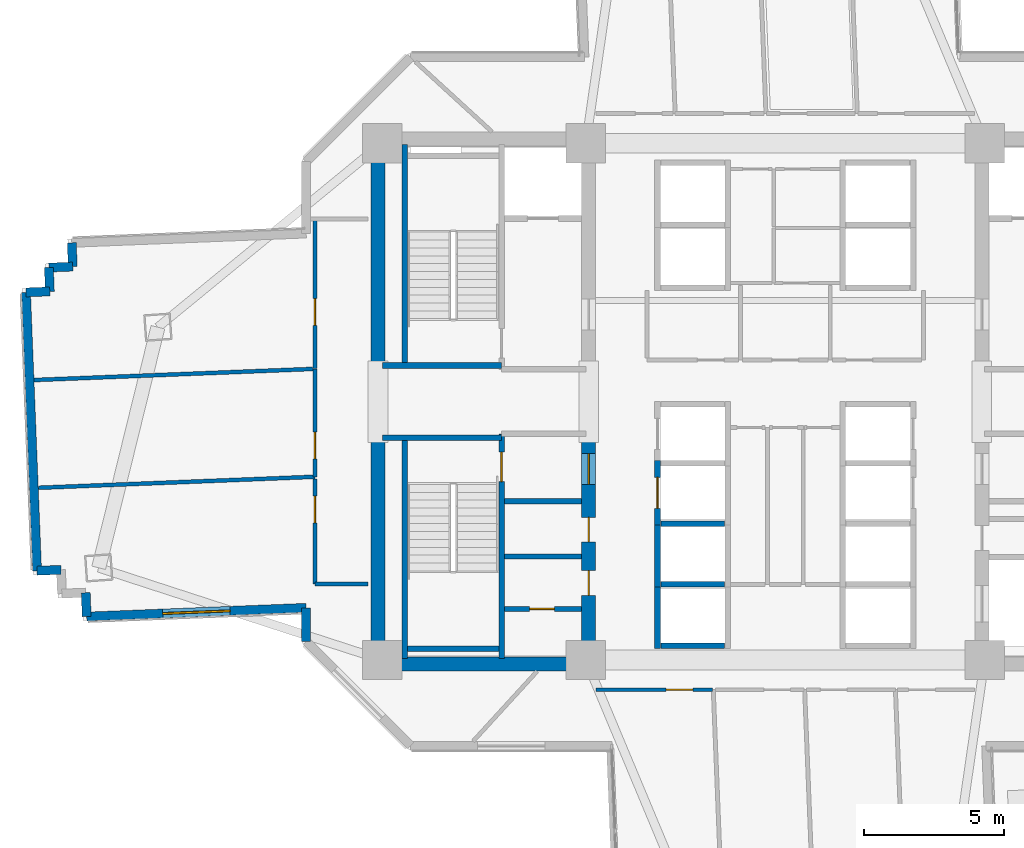
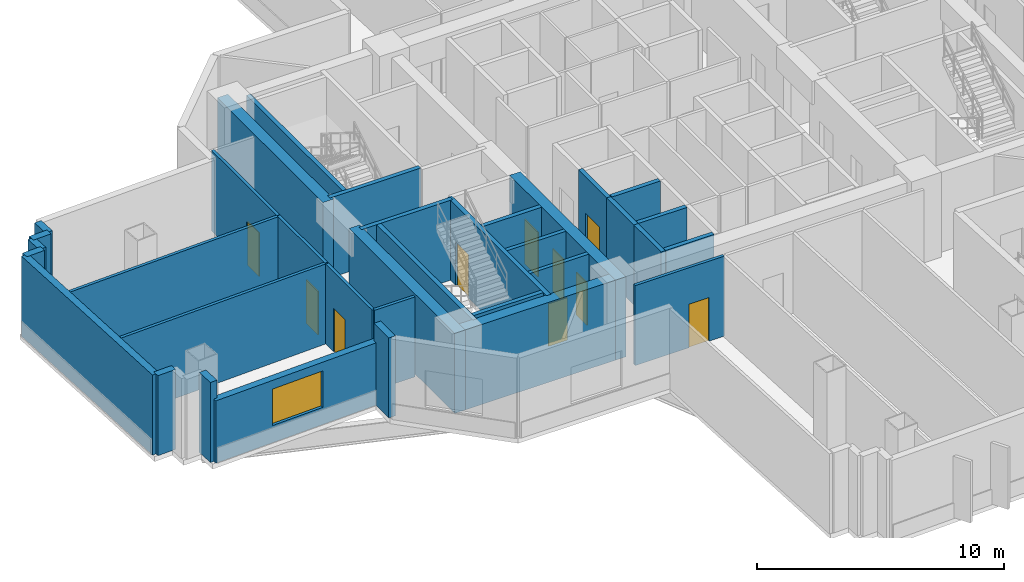
# One storey, part 6 of 16: 35 walls, 10 doors, 1 window, 11 openings.
"""IFC4 building model written with IfcOpenShell, lengths in metres."""

from ifc_helpers import new_model, si_unit, direction, frame, frame_2d, origin, place, context, subcontext, project, spatial, rectangle, extrude, source, transform, mapped, material, layer, layer_set, type_object, element, fill, save


model = new_model("IFC4")

# Units and contexts
model_context = context("Model", 3, precision=1e-05, world=origin(), true_north=direction((0.0, 1.0)))
body_context = subcontext(model_context, "Body", "Model", "MODEL_VIEW")
ifc_project = project(units=[si_unit("LENGTHUNIT", "METRE"), si_unit("AREAUNIT", "SQUARE_METRE"), si_unit("VOLUMEUNIT", "CUBIC_METRE"), si_unit("PLANEANGLEUNIT", "RADIAN"), si_unit("MASSUNIT", "GRAM", prefix="KILO")], contexts=[model_context])

# Site, building, storey
site_placement = place(None, origin())
site = spatial("IfcSite", under=ifc_project, at=site_placement, CompositionType="ELEMENT")
building_placement = place(site_placement, origin())
building = spatial("IfcBuilding", under=site, at=building_placement, Name="Zahravan Cultural Tower", CompositionType="ELEMENT")
storey_placement = place(building_placement, frame((0.0, 0.0, 62.699951171875)))
storey = spatial("IfcBuildingStorey", under=building, at=storey_placement, Name="L13", CompositionType="ELEMENT", Elevation=62.699951171875)

# Wall, openings, doors
ifc_material_1 = material(Name="Concrete C60/75", Category="concrete")
ifc_layer_1 = layer(ifc_material_1, 0.5)
ifc_layer_set_1 = layer_set([ifc_layer_1], Name="Concrete C60/75")
wall_type_1 = type_object("IfcWallType", Name="CW-SHEAR-500-C60", PredefinedType="SHEAR", material=ifc_layer_set_1)
wall_1_placement = place(storey_placement, frame((29.0, 17.39990234375, 0.0), z_axis=(0.0, 0.0, 1.0), x_axis=(0.0, 1.0, 0.0)))
wall_1 = element("IfcWall", 1, at=wall_1_placement, inside=storey, type_object=wall_type_1, Name="L13 Core Shear Wall CW-W-ES-L13", PredefinedType="SHEAR", context=body_context, shape_type="SweptSolid", body=[
    extrude(rectangle(XDim=8.550048828125, YDim=0.5, at=frame_2d((4.27490234375, 0.0))), origin(), (0.0, 0.0, 1.0), 3.949951171875),
])
opening_1_placement = place(wall_1_placement, frame((6.64990234375, 0.0, 0.0)))
opening_1 = element("IfcOpeningElement", 2, at=opening_1_placement, cuts=wall_1, Name="Opening D-L13-07", PredefinedType="OPENING", context=body_context, shape_type="SweptSolid", body=[
    extrude(rectangle(XDim=1.10009765625, YDim=2.199951171875, at=frame_2d((0.550048828125, 1.10009765625))), frame((0.0, 0.260009765625, 0.0), z_axis=(0.0, -1.0, 0.0), x_axis=(1.0, 0.0, 0.0)), (0.0, 0.0, 1.0), 0.52001953125),
])
opening_2_placement = place(wall_1_placement, frame((2.699951171875, 0.0, 0.0)))
opening_2 = element("IfcOpeningElement", 3, at=opening_2_placement, cuts=wall_1, Name="Opening D-L13-10", PredefinedType="OPENING", context=body_context, shape_type="SweptSolid", body=[
    extrude(rectangle(XDim=0.8798828125, YDim=2.10009765625, at=frame_2d((0.43994140625, 1.050048828125))), frame((0.0, 0.260009765625, 0.0), z_axis=(0.0, -1.0, 0.0), x_axis=(1.0, 0.0, 0.0)), (0.0, 0.0, 1.0), 0.52001953125),
])
opening_3_placement = place(wall_1_placement, frame((4.60009765625, 0.0, 0.0)))
opening_3 = element("IfcOpeningElement", 4, at=opening_3_placement, cuts=wall_1, Name="Opening D-L13-11", PredefinedType="OPENING", context=body_context, shape_type="SweptSolid", body=[
    extrude(rectangle(XDim=0.8798828125, YDim=2.10009765625, at=frame_2d((0.43994140625, 1.050048828125))), frame((0.0, 0.260009765625, 0.0), z_axis=(0.0, -1.0, 0.0), x_axis=(1.0, 0.0, 0.0)), (0.0, 0.0, 1.0), 0.52001953125),
])
ifc_material_2 = material(Name="Steel ASTM A572 Grade 50", Category="steel")
door_type_1 = type_object("IfcDoorType", Name="DR-LOBBY-1100", OperationType="NOTDEFINED", PredefinedType="DOOR", material=ifc_material_2)
shared_shape_1 = source(origin(), body_context, "Body", "SweptSolid", [
    extrude(rectangle(XDim=1.10009765625, YDim=2.199951171875, at=frame_2d((0.550048828125, 1.10009765625))), frame((0.0, 0.02490234375, 0.0), z_axis=(0.0, -1.0, 0.0), x_axis=(1.0, 0.0, 0.0)), (0.0, 0.0, 1.0), 0.050048828125),
])
door_1_placement = place(opening_1_placement, origin())
door_1 = element("IfcDoor", 5, at=door_1_placement, inside=storey, type_object=door_type_1, Name="L13 Door D-L13-07", OperationType="SINGLE_SWING_LEFT", OverallHeight=2.199951171875, OverallWidth=1.10009765625, PredefinedType="DOOR", context=body_context, shape_type="MappedRepresentation", body=[
    mapped(shared_shape_1, transform((0.0, 0.0, 0.0), x_axis=(1.0, 0.0, 0.0), y_axis=(0.0, 1.0, 0.0), z_axis=(0.0, 0.0, 1.0), scale=1.0)),
])
fill(opening_1, door_1)
door_type_2 = type_object("IfcDoorType", Name="DR-SVC-880", OperationType="NOTDEFINED", PredefinedType="DOOR", material=ifc_material_2)
shared_shape_2 = source(origin(), body_context, "Body", "SweptSolid", [
    extrude(rectangle(XDim=0.8798828125, YDim=2.10009765625, at=frame_2d((0.43994140625, 1.050048828125))), frame((0.0, 0.02490234375, 0.0), z_axis=(0.0, -1.0, 0.0), x_axis=(1.0, 0.0, 0.0)), (0.0, 0.0, 1.0), 0.050048828125),
])
door_2_placement = place(opening_2_placement, origin())
door_2 = element("IfcDoor", 6, at=door_2_placement, inside=storey, type_object=door_type_2, Name="L13 Door D-L13-10", OperationType="SINGLE_SWING_RIGHT", OverallHeight=2.10009765625, OverallWidth=0.8798828125, PredefinedType="DOOR", context=body_context, shape_type="MappedRepresentation", body=[
    mapped(shared_shape_2, transform((0.0, 0.0, 0.0), x_axis=(1.0, 0.0, 0.0), y_axis=(0.0, 1.0, 0.0), z_axis=(0.0, 0.0, 1.0), scale=1.0)),
])
fill(opening_2, door_2)
door_3_placement = place(opening_3_placement, origin())
door_3 = element("IfcDoor", 7, at=door_3_placement, inside=storey, type_object=door_type_2, Name="L13 Door D-L13-11", OperationType="SINGLE_SWING_LEFT", OverallHeight=2.10009765625, OverallWidth=0.8798828125, PredefinedType="DOOR", context=body_context, shape_type="MappedRepresentation", body=[
    mapped(shared_shape_2, transform((0.0, 0.0, 0.0), x_axis=(1.0, 0.0, 0.0), y_axis=(0.0, 1.0, 0.0), z_axis=(0.0, 0.0, 1.0), scale=1.0)),
])
fill(opening_3, door_3)

# Wall, opening, window
ifc_material_3 = material(Name="Precast concrete C40/50", Category="concrete")
ifc_layer_2 = layer(ifc_material_3, 0.320068359375)
ifc_layer_set_2 = layer_set([ifc_layer_2], Name="Precast concrete C40/50")
wall_type_2 = type_object("IfcWallType", Name="EW-TC-320", PredefinedType="SOLIDWALL", material=ifc_layer_set_2)
wall_2_placement = place(storey_placement, frame((18.93994140625, 19.655517578125, 0.0), z_axis=(0.0, 0.0, 1.0), x_axis=(-0.999208917222, -0.039768577336, 0.0)))
wall_2 = element("IfcWall", 8, at=wall_2_placement, inside=storey, type_object=wall_type_2, Name="L13 Exterior Masonry Frame Wall 28", PredefinedType="SOLIDWALL", context=body_context, shape_type="SweptSolid", body=[
    extrude(rectangle(XDim=7.821044921875, YDim=0.320068359375, at=frame_2d((3.91064453125, 0.0))), origin(), (0.0, 0.0, 1.0), 3.080078125),
])
opening_4_placement = place(wall_2_placement, frame((2.7109375, 0.0, 0.85009765625)))
opening_4 = element("IfcOpeningElement", 9, at=opening_4_placement, cuts=wall_2, Name="Opening WN-01", PredefinedType="OPENING", context=body_context, shape_type="SweptSolid", body=[
    extrude(rectangle(XDim=2.39990234375, YDim=1.800048828125, at=frame_2d((1.199951171875, 0.89990234375))), frame((0.0, 0.169921875, 0.0), z_axis=(0.0, -1.0, 0.0), x_axis=(1.0, 0.0, 0.0)), (0.0, 0.0, 1.0), 0.340087890625),
])
ifc_material_4 = material(Name="Low-E solar-control double glazing", Category="glass")
window_type = type_object("IfcWindowType", Name="WN-REC-2400X1800", PartitioningType="DOUBLE_PANEL_VERTICAL", PredefinedType="WINDOW", material=ifc_material_4)
shared_shape_3 = source(origin(), body_context, "Body", "SweptSolid", [
    extrude(rectangle(XDim=2.39990234375, YDim=1.800048828125, at=frame_2d((1.199951171875, 0.89990234375))), frame((0.0, 0.030029296875, 0.0), z_axis=(0.0, -1.0, 0.0), x_axis=(1.0, 0.0, 0.0)), (0.0, 0.0, 1.0), 0.06005859375),
])
window_placement = place(opening_4_placement, origin())
window = element("IfcWindow", 10, at=window_placement, inside=storey, type_object=window_type, Name="L13 Recessed Solar Window 08", OverallHeight=1.800048828125, OverallWidth=2.39990234375, PartitioningType="DOUBLE_PANEL_VERTICAL", PredefinedType="WINDOW", context=body_context, shape_type="MappedRepresentation", body=[
    mapped(shared_shape_3, transform((0.0, 0.0, 0.0), x_axis=(1.0, 0.0, 0.0), y_axis=(0.0, 1.0, 0.0), z_axis=(0.0, 0.0, 1.0), scale=1.0)),
])
fill(opening_4, window)

# Wall, opening, door
ifc_material_5 = material(Name="Gypsum plasterboard partition")
ifc_layer_3 = layer(ifc_material_5, 0.179931640625)
ifc_layer_set_3 = layer_set([ifc_layer_3], Name="Gypsum plasterboard partition")
wall_type_3 = type_object("IfcWallType", Name="W-COMP-180", PredefinedType="PARTITIONING", material=ifc_layer_set_3)
wall_3_placement = place(storey_placement, frame((26.0, 19.6201171875, 0.0), z_axis=(0.0, 0.0, 1.0), x_axis=(1.0, 0.0, 0.0)))
wall_3 = element("IfcWall", 11, at=wall_3_placement, inside=storey, type_object=wall_type_3, Name="L13 Interior Wall 026", PredefinedType="PARTITIONING", context=body_context, shape_type="SweptSolid", body=[
    extrude(rectangle(XDim=2.75, YDim=0.179931640625, at=frame_2d((1.375, 0.0))), origin(), (0.0, 0.0, 1.0), 3.949951171875),
])
opening_5_placement = place(wall_3_placement, frame((0.89990234375, 0.0, 0.0)))
opening_5 = element("IfcOpeningElement", 12, at=opening_5_placement, cuts=wall_3, Name="Opening D-L13-09", PredefinedType="OPENING", context=body_context, shape_type="SweptSolid", body=[
    extrude(rectangle(XDim=0.8798828125, YDim=2.10009765625, at=frame_2d((0.43994140625, 1.050048828125))), frame((0.0, 0.099853515625, 0.0), z_axis=(0.0, -1.0, 0.0), x_axis=(1.0, 0.0, 0.0)), (0.0, 0.0, 1.0), 0.199951171875),
])
door_4_placement = place(opening_5_placement, origin())
door_4 = element("IfcDoor", 13, at=door_4_placement, inside=storey, type_object=door_type_2, Name="L13 Door D-L13-09", OperationType="SINGLE_SWING_LEFT", OverallHeight=2.10009765625, OverallWidth=0.8798828125, PredefinedType="DOOR", context=body_context, shape_type="MappedRepresentation", body=[
    mapped(shared_shape_2, transform((0.0, 0.0, 0.0), x_axis=(1.0, 0.0, 0.0), y_axis=(0.0, 1.0, 0.0), z_axis=(0.0, 0.0, 1.0), scale=1.0)),
])
fill(opening_5, door_4)

ifc_layer_4 = layer(ifc_material_5, 0.139892578125)
ifc_layer_set_4 = layer_set([ifc_layer_4], Name="Gypsum plasterboard partition")
wall_type_4 = type_object("IfcWallType", Name="W-PART-140", PredefinedType="PARTITIONING", material=ifc_layer_set_4)
wall_4_placement = place(storey_placement, frame((19.25, 28.16455078125, 0.0), z_axis=(0.0, 0.0, 1.0), x_axis=(0.0, -1.0, 0.0)))
wall_4 = element("IfcWall", 14, at=wall_4_placement, inside=storey, type_object=wall_type_4, Name="L13 Interior Wall 094", PredefinedType="PARTITIONING", context=body_context, shape_type="SweptSolid", body=[
    extrude(rectangle(XDim=3.843017578125, YDim=0.139892578125, at=frame_2d((1.92138671875, 0.0))), origin(), (0.0, 0.0, 1.0), 3.949951171875),
])
opening_6_placement = place(wall_4_placement, frame((2.256591796875, 0.0, 0.0)))
opening_6 = element("IfcOpeningElement", 15, at=opening_6_placement, cuts=wall_4, Name="Opening D-L13-29", PredefinedType="OPENING", context=body_context, shape_type="SweptSolid", body=[
    extrude(rectangle(XDim=0.949951171875, YDim=2.14990234375, at=frame_2d((0.47509765625, 1.074951171875))), frame((0.0, 0.079833984375, 0.0), z_axis=(0.0, -1.0, 0.0), x_axis=(1.0, 0.0, 0.0)), (0.0, 0.0, 1.0), 0.159912109375),
])
ifc_material_6 = material(Name="Anodised bronze-aluminium mullion", Category="aluminium")
door_type_3 = type_object("IfcDoorType", Name="DR-ROOM-950", OperationType="NOTDEFINED", PredefinedType="DOOR", material=ifc_material_6)
shared_shape_4 = source(origin(), body_context, "Body", "SweptSolid", [
    extrude(rectangle(XDim=0.949951171875, YDim=2.14990234375, at=frame_2d((0.47509765625, 1.074951171875))), frame((0.0, 0.02490234375, 0.0), z_axis=(0.0, -1.0, 0.0), x_axis=(1.0, 0.0, 0.0)), (0.0, 0.0, 1.0), 0.050048828125),
])
door_5_placement = place(opening_6_placement, origin())
door_5 = element("IfcDoor", 16, at=door_5_placement, inside=storey, type_object=door_type_3, Name="L13 Door D-L13-29", OperationType="SINGLE_SWING_LEFT", OverallHeight=2.14990234375, OverallWidth=0.949951171875, PredefinedType="DOOR", context=body_context, shape_type="MappedRepresentation", body=[
    mapped(shared_shape_4, transform((0.0, 0.0, 0.0), x_axis=(1.0, 0.0, 0.0), y_axis=(0.0, 1.0, 0.0), z_axis=(0.0, 0.0, 1.0), scale=1.0)),
])
fill(opening_6, door_5)

wall_5_placement = place(storey_placement, frame((19.25048828125, 33.496337890625, 0.0), z_axis=(0.0, 0.0, 1.0), x_axis=(-9.1924438e-05, -0.999999995775, 0.0)))
wall_5 = element("IfcWall", 17, at=wall_5_placement, inside=storey, type_object=wall_type_4, Name="L13 Interior Wall 114", PredefinedType="PARTITIONING", context=body_context, shape_type="SweptSolid", body=[
    extrude(rectangle(XDim=5.311767578125, YDim=0.139892578125, at=frame_2d((2.65576171875, 0.0))), origin(), (0.0, 0.0, 1.0), 3.949951171875),
])
opening_7_placement = place(wall_5_placement, frame((2.835205078125, 0.0, 0.0)))
opening_7 = element("IfcOpeningElement", 18, at=opening_7_placement, cuts=wall_5, Name="Opening D-L13-28", PredefinedType="OPENING", context=body_context, shape_type="SweptSolid", body=[
    extrude(rectangle(XDim=0.949951171875, YDim=2.14990234375, at=frame_2d((0.47509765625, 1.074951171875))), frame((0.0, 0.079833984375, 0.0), z_axis=(0.0, -1.0, 0.0), x_axis=(1.0, 0.0, 0.0)), (0.0, 0.0, 1.0), 0.159912109375),
])
door_6_placement = place(opening_7_placement, origin())
door_6 = element("IfcDoor", 19, at=door_6_placement, inside=storey, type_object=door_type_3, Name="L13 Door D-L13-28", OperationType="SINGLE_SWING_RIGHT", OverallHeight=2.14990234375, OverallWidth=0.949951171875, PredefinedType="DOOR", context=body_context, shape_type="MappedRepresentation", body=[
    mapped(shared_shape_4, transform((0.0, 0.0, 0.0), x_axis=(1.0, 0.0, 0.0), y_axis=(0.0, 1.0, 0.0), z_axis=(0.0, 0.0, 1.0), scale=1.0)),
])
fill(opening_7, door_6)

wall_6_placement = place(storey_placement, frame((19.25, 24.24658203125, 0.0), z_axis=(0.0, 0.0, 1.0), x_axis=(0.000326008981, -0.999999946859, 0.0)))
wall_6 = element("IfcWall", 20, at=wall_6_placement, inside=storey, type_object=wall_type_4, Name="L13 Interior Wall 123", PredefinedType="PARTITIONING", context=body_context, shape_type="SweptSolid", body=[
    extrude(rectangle(XDim=3.744384765625, YDim=0.139892578125, at=frame_2d((1.8720703125, 0.0))), origin(), (0.0, 0.0, 1.0), 3.949951171875),
])
opening_8_placement = place(wall_6_placement, frame((0.61474609375, 0.0, 0.0)))
opening_8 = element("IfcOpeningElement", 21, at=opening_8_placement, cuts=wall_6, Name="Opening D-L13-30", PredefinedType="OPENING", context=body_context, shape_type="SweptSolid", body=[
    extrude(rectangle(XDim=0.949951171875, YDim=2.14990234375, at=frame_2d((0.47509765625, 1.074951171875))), frame((0.0, 0.079833984375, 0.0), z_axis=(0.0, -1.0, 0.0), x_axis=(1.0, 0.0, 0.0)), (0.0, 0.0, 1.0), 0.159912109375),
])
door_7_placement = place(opening_8_placement, origin())
door_7 = element("IfcDoor", 22, at=door_7_placement, inside=storey, type_object=door_type_3, Name="L13 Door D-L13-30", OperationType="SINGLE_SWING_RIGHT", OverallHeight=2.14990234375, OverallWidth=0.949951171875, PredefinedType="DOOR", context=body_context, shape_type="MappedRepresentation", body=[
    mapped(shared_shape_4, transform((0.0, 0.0, 0.0), x_axis=(1.0, 0.0, 0.0), y_axis=(0.0, 1.0, 0.0), z_axis=(0.0, 0.0, 1.0), scale=1.0)),
])
fill(opening_8, door_7)

wall_7_placement = place(storey_placement, frame((29.257568359375, 16.740234375, 0.0), z_axis=(0.0, 0.0, 1.0), x_axis=(0.999999998277, -5.8706117e-05, 0.0)))
wall_7 = element("IfcWall", 23, at=wall_7_placement, inside=storey, type_object=wall_type_4, Name="L13 Interior Wall 125", PredefinedType="PARTITIONING", context=body_context, shape_type="SweptSolid", body=[
    extrude(rectangle(XDim=4.15869140625, YDim=0.139892578125, at=frame_2d((2.079345703125, 0.0))), origin(), (0.0, 0.0, 1.0), 3.949951171875),
])
opening_9_placement = place(wall_7_placement, frame((2.502685546875, 0.0, 0.0)))
opening_9 = element("IfcOpeningElement", 24, at=opening_9_placement, cuts=wall_7, Name="Opening D-L13-31", PredefinedType="OPENING", context=body_context, shape_type="SweptSolid", body=[
    extrude(rectangle(XDim=0.949951171875, YDim=2.14990234375, at=frame_2d((0.47509765625, 1.074951171875))), frame((0.0, 0.079833984375, 0.0), z_axis=(0.0, -1.0, 0.0), x_axis=(1.0, 0.0, 0.0)), (0.0, 0.0, 1.0), 0.159912109375),
])
door_8_placement = place(opening_9_placement, origin())
door_8 = element("IfcDoor", 25, at=door_8_placement, inside=storey, type_object=door_type_3, Name="L13 Door D-L13-31", OperationType="SINGLE_SWING_LEFT", OverallHeight=2.14990234375, OverallWidth=0.949951171875, PredefinedType="DOOR", context=body_context, shape_type="MappedRepresentation", body=[
    mapped(shared_shape_4, transform((0.0, 0.0, 0.0), x_axis=(1.0, 0.0, 0.0), y_axis=(0.0, 1.0, 0.0), z_axis=(0.0, 0.0, 1.0), scale=1.0)),
])
fill(opening_9, door_8)

ifc_material_7 = material(Name="Concrete C45/55", Category="concrete")
ifc_layer_5 = layer(ifc_material_7, 0.199951171875)
ifc_layer_set_5 = layer_set([ifc_layer_5], Name="Concrete C45/55")
wall_type_5 = type_object("IfcWallType", Name="W-SHAFT-200", PredefinedType="SOLIDWALL", material=ifc_layer_set_5)
wall_8_placement = place(storey_placement, frame((25.89990234375, 17.85009765625, 0.0), z_axis=(0.0, 0.0, 1.0), x_axis=(0.0, 1.0, 0.0)))
wall_8 = element("IfcWall", 26, at=wall_8_placement, inside=storey, type_object=wall_type_5, Name="L13 Interior Wall 005", PredefinedType="SOLIDWALL", context=body_context, shape_type="SweptSolid", body=[
    extrude(rectangle(XDim=8.0, YDim=0.199951171875, at=frame_2d((4.0, 0.0))), origin(), (0.0, 0.0, 1.0), 3.949951171875),
])
opening_10_placement = place(wall_8_placement, frame((6.300048828125, 0.0, 0.0)))
opening_10 = element("IfcOpeningElement", 27, at=opening_10_placement, cuts=wall_8, Name="Opening D-L13-04", PredefinedType="OPENING", context=body_context, shape_type="SweptSolid", body=[
    extrude(rectangle(XDim=1.050048828125, YDim=2.14990234375, at=frame_2d((0.52490234375, 1.074951171875))), frame((0.0, 0.10986328125, 0.0), z_axis=(0.0, -1.0, 0.0), x_axis=(1.0, 0.0, 0.0)), (0.0, 0.0, 1.0), 0.219970703125),
])
door_type_4 = type_object("IfcDoorType", Name="DR-STAIR-1050", OperationType="NOTDEFINED", PredefinedType="DOOR", material=ifc_material_2)
shared_shape_5 = source(origin(), body_context, "Body", "SweptSolid", [
    extrude(rectangle(XDim=1.050048828125, YDim=2.14990234375, at=frame_2d((0.52490234375, 1.074951171875))), frame((0.0, 0.02490234375, 0.0), z_axis=(0.0, -1.0, 0.0), x_axis=(1.0, 0.0, 0.0)), (0.0, 0.0, 1.0), 0.050048828125),
])
door_9_placement = place(opening_10_placement, origin())
door_9 = element("IfcDoor", 28, at=door_9_placement, inside=storey, type_object=door_type_4, Name="L13 Door D-L13-04", OperationType="SINGLE_SWING_RIGHT", OverallHeight=2.14990234375, OverallWidth=1.050048828125, PredefinedType="DOOR", context=body_context, shape_type="MappedRepresentation", body=[
    mapped(shared_shape_5, transform((0.0, 0.0, 0.0), x_axis=(1.0, 0.0, 0.0), y_axis=(0.0, 1.0, 0.0), z_axis=(0.0, 0.0, 1.0), scale=1.0)),
])
fill(opening_10, door_9)

wall_9_placement = place(storey_placement, frame((31.449951171875, 22.60009765625, 0.0), z_axis=(0.0, 0.0, 1.0), x_axis=(0.0, 1.0, 0.0)))
wall_9 = element("IfcWall", 29, at=wall_9_placement, inside=storey, type_object=wall_type_5, Name="L13 Interior Wall 061", PredefinedType="SOLIDWALL", context=body_context, shape_type="SweptSolid", body=[
    extrude(rectangle(XDim=2.2998046875, YDim=0.199951171875, at=frame_2d((1.14990234375, 0.0))), origin(), (0.0, 0.0, 1.0), 3.949951171875),
])
opening_11_placement = place(wall_9_placement, frame((0.60009765625, 0.0, 0.0)))
opening_11 = element("IfcOpeningElement", 30, at=opening_11_placement, cuts=wall_9, Name="Opening LD-L13-05", PredefinedType="OPENING", context=body_context, shape_type="SweptSolid", body=[
    extrude(rectangle(XDim=1.10009765625, YDim=2.14990234375, at=frame_2d((0.550048828125, 1.074951171875))), frame((0.0, 0.10986328125, 0.0), z_axis=(0.0, -1.0, 0.0), x_axis=(1.0, 0.0, 0.0)), (0.0, 0.0, 1.0), 0.219970703125),
])
door_type_5 = type_object("IfcDoorType", Name="DR-LIFT-1100", OperationType="DOUBLE_DOOR_SLIDING", PredefinedType="DOOR", material=ifc_material_2)
shared_shape_6 = source(origin(), body_context, "Body", "SweptSolid", [
    extrude(rectangle(XDim=1.10009765625, YDim=2.14990234375, at=frame_2d((0.550048828125, 1.074951171875))), frame((0.0, 0.02490234375, 0.0), z_axis=(0.0, -1.0, 0.0), x_axis=(1.0, 0.0, 0.0)), (0.0, 0.0, 1.0), 0.050048828125),
])
door_10_placement = place(opening_11_placement, origin())
door_10 = element("IfcDoor", 31, at=door_10_placement, inside=storey, type_object=door_type_5, Name="L13 Door LD-L13-05", OperationType="DOUBLE_DOOR_SLIDING", OverallHeight=2.14990234375, OverallWidth=1.10009765625, PredefinedType="DOOR", context=body_context, shape_type="MappedRepresentation", body=[
    mapped(shared_shape_6, transform((0.0, 0.0, 0.0), x_axis=(1.0, 0.0, 0.0), y_axis=(0.0, 1.0, 0.0), z_axis=(0.0, 0.0, 1.0), scale=1.0)),
])
fill(opening_11, door_10)

# Walls
shared_shape_7 = source(origin(), body_context, "Body", "SweptSolid", [
    extrude(rectangle(XDim=8.550048828125, YDim=0.5, at=frame_2d((4.27490234375, 0.0))), origin(), (0.0, 0.0, 1.0), 3.949951171875),
])
for number, where, z_axis, x_axis, name in (
    (32, (21.5, 17.39990234375, 0.0), (0.0, 0.0, 1.0), (0.0, 1.0, 0.0), "L13 Core Shear Wall CW-W-WS-L13"),
    (33, (21.5, 28.050048828125, 0.0), (0.0, 0.0, 1.0), (0.0, 1.0, 0.0), "L13 Core Shear Wall CW-W-WN-L13"),
):
    element("IfcWall", number, at=place(storey_placement, frame(where, z_axis=z_axis, x_axis=x_axis)), inside=storey, type_object=wall_type_1, Name=name, PredefinedType="SHEAR", context=body_context, shape_type="MappedRepresentation", body=[
        mapped(shared_shape_7, transform((0.0, 0.0, 0.0), x_axis=(1.0, 0.0, 0.0), y_axis=(0.0, 1.0, 0.0), z_axis=(0.0, 0.0, 1.0), scale=1.0)),
    ])
shared_shape_8 = source(origin(), body_context, "Body", "SweptSolid", [
    extrude(rectangle(XDim=7.0, YDim=0.5, at=frame_2d((3.5, 0.0))), origin(), (0.0, 0.0, 1.0), 3.949951171875),
])
wall_10_placement = place(storey_placement, frame((21.75, 17.64990234375, 0.0), z_axis=(0.0, 0.0, 1.0), x_axis=(1.0, 0.0, 0.0)))
element("IfcWall", 34, at=wall_10_placement, inside=storey, type_object=wall_type_1, Name="L13 Core Shear Wall CW-W-S-L13", PredefinedType="SHEAR", context=body_context, shape_type="MappedRepresentation", body=[
    mapped(shared_shape_8, transform((0.0, 0.0, 0.0), x_axis=(1.0, 0.0, 0.0), y_axis=(0.0, 1.0, 0.0), z_axis=(0.0, 0.0, 1.0), scale=1.0)),
])
shared_shape_9 = source(origin(), body_context, "Body", "SweptSolid", [
    extrude(rectangle(XDim=0.849853515625, YDim=0.320068359375, at=frame_2d((0.4248046875, 0.0))), origin(), (0.0, 0.0, 1.0), 3.949951171875),
])
for number, where, z_axis, x_axis, name in (
    (35, (11.125, 19.344482421875, 0.0), (0.0, 0.0, 1.0), (-0.039933618331, 0.999202334929, 0.0), "L13 Exterior Masonry Frame Wall 29"),
    (36, (8.964111328125, 30.887451171875, 0.0), (0.0, 0.0, 1.0), (0.999202334929, 0.039933618331, 0.0), "L13 Exterior Masonry Frame Wall 34"),
):
    element("IfcWall", number, at=place(storey_placement, frame(where, z_axis=z_axis, x_axis=x_axis)), inside=storey, type_object=wall_type_2, Name=name, PredefinedType="SOLIDWALL", context=body_context, shape_type="MappedRepresentation", body=[
        mapped(shared_shape_9, transform((0.0, 0.0, 0.0), x_axis=(1.0, 0.0, 0.0), y_axis=(0.0, 1.0, 0.0), z_axis=(0.0, 0.0, 1.0), scale=1.0)),
    ])
shared_shape_10 = source(origin(), body_context, "Body", "SweptSolid", [
    extrude(rectangle(XDim=0.85009765625, YDim=0.320068359375, at=frame_2d((0.425048828125, 0.0))), origin(), (0.0, 0.0, 1.0), 3.949951171875),
])
for number, where, z_axis, x_axis, name in (
    (37, (10.2080078125, 21.00927734375, 0.0), (0.0, 0.0, 1.0), (-0.999202792875, -0.039922158152, 0.0), "L13 Exterior Masonry Frame Wall 32"),
    (38, (9.813232421875, 30.92138671875, 0.0), (0.0, 0.0, 1.0), (-0.039635401209, 0.999214208752, 0.0), "L13 Exterior Masonry Frame Wall 35"),
    (39, (9.779541015625, 31.770751953125, 0.0), (0.0, 0.0, 1.0), (0.999214208752, 0.039635401209, 0.0), "L13 Exterior Masonry Frame Wall 36"),
    (40, (10.62890625, 31.804443359375, 0.0), (0.0, 0.0, 1.0), (-0.039922158152, 0.999202792875, 0.0), "L13 Exterior Masonry Frame Wall 37"),
):
    element("IfcWall", number, at=place(storey_placement, frame(where, z_axis=z_axis, x_axis=x_axis)), inside=storey, type_object=wall_type_2, Name=name, PredefinedType="SOLIDWALL", context=body_context, shape_type="MappedRepresentation", body=[
        mapped(shared_shape_10, transform((0.0, 0.0, 0.0), x_axis=(1.0, 0.0, 0.0), y_axis=(0.0, 1.0, 0.0), z_axis=(0.0, 0.0, 1.0), scale=1.0)),
    ])
shared_shape_11 = source(origin(), body_context, "Body", "SweptSolid", [
    extrude(rectangle(XDim=9.919921875, YDim=0.320068359375, at=frame_2d((4.9599609375, 0.0))), origin(), (0.0, 0.0, 1.0), 3.949951171875),
])
wall_11_placement = place(storey_placement, frame((9.358642578125, 20.975341796875, 0.0), z_axis=(0.0, 0.0, 1.0), x_axis=(-0.03977146366, 0.999208802342, 0.0)))
element("IfcWall", 41, at=wall_11_placement, inside=storey, type_object=wall_type_2, Name="L13 Exterior Masonry Frame Wall 33", PredefinedType="SOLIDWALL", context=body_context, shape_type="MappedRepresentation", body=[
    mapped(shared_shape_11, transform((0.0, 0.0, 0.0), x_axis=(1.0, 0.0, 0.0), y_axis=(0.0, 1.0, 0.0), z_axis=(0.0, 0.0, 1.0), scale=1.0)),
])
shared_shape_12 = source(origin(), body_context, "Body", "SweptSolid", [
    extrude(rectangle(XDim=1.197509765625, YDim=0.320068359375, at=frame_2d((0.5986328125, 0.0))), origin(), (0.0, 0.0, 1.0), 3.949951171875),
])
wall_12_placement = place(storey_placement, frame((18.93994140625, 18.4580078125, 0.0), z_axis=(0.0, 0.0, 1.0), x_axis=(0.0, 1.0, 0.0)))
element("IfcWall", 42, at=wall_12_placement, inside=storey, type_object=wall_type_2, Name="L13 Exterior Masonry Frame Wall 27", PredefinedType="SOLIDWALL", context=body_context, shape_type="MappedRepresentation", body=[
    mapped(shared_shape_12, transform((0.0, 0.0, 0.0), x_axis=(1.0, 0.0, 0.0), y_axis=(0.0, 1.0, 0.0), z_axis=(0.0, 0.0, 1.0), scale=1.0)),
])
shared_shape_13 = source(origin(), body_context, "Body", "SweptSolid", [
    extrude(rectangle(XDim=7.869873046875, YDim=0.199951171875, at=frame_2d((3.93505859375, 0.0))), origin(), (0.0, 0.0, 1.0), 3.949951171875),
])
for number, where, z_axis, x_axis, name in (
    (43, (22.449951171875, 17.85009765625, 0.0), (0.0, 0.0, 1.0), (0.0, 1.0, 0.0), "L13 Interior Wall 001"),
    (44, (22.449951171875, 28.280029296875, 0.0), (0.0, 0.0, 1.0), (0.0, 1.0, 0.0), "L13 Interior Wall 002"),
):
    element("IfcWall", number, at=place(storey_placement, frame(where, z_axis=z_axis, x_axis=x_axis)), inside=storey, type_object=wall_type_5, Name=name, PredefinedType="SOLIDWALL", context=body_context, shape_type="MappedRepresentation", body=[
        mapped(shared_shape_13, transform((0.0, 0.0, 0.0), x_axis=(1.0, 0.0, 0.0), y_axis=(0.0, 1.0, 0.0), z_axis=(0.0, 0.0, 1.0), scale=1.0)),
    ])
shared_shape_14 = source(origin(), body_context, "Body", "SweptSolid", [
    extrude(rectangle(XDim=4.25, YDim=0.199951171875, at=frame_2d((2.125, 0.0))), origin(), (0.0, 0.0, 1.0), 3.949951171875),
])
for number, where, z_axis, x_axis, name in (
    (45, (21.64990234375, 25.715087890625, 0.0), (0.0, 0.0, 1.0), (1.0, 0.0, 0.0), "L13 Interior Wall 009"),
    (46, (21.64990234375, 28.284912109375, 0.0), (0.0, 0.0, 1.0), (1.0, 0.0, 0.0), "L13 Interior Wall 011"),
):
    element("IfcWall", number, at=place(storey_placement, frame(where, z_axis=z_axis, x_axis=x_axis)), inside=storey, type_object=wall_type_5, Name=name, PredefinedType="SOLIDWALL", context=body_context, shape_type="MappedRepresentation", body=[
        mapped(shared_shape_14, transform((0.0, 0.0, 0.0), x_axis=(1.0, 0.0, 0.0), y_axis=(0.0, 1.0, 0.0), z_axis=(0.0, 0.0, 1.0), scale=1.0)),
    ])
shared_shape_15 = source(origin(), body_context, "Body", "SweptSolid", [
    extrude(rectangle(XDim=3.25, YDim=0.199951171875, at=frame_2d((1.625, 0.0))), origin(), (0.0, 0.0, 1.0), 3.949951171875),
])
wall_13_placement = place(storey_placement, frame((22.550048828125, 18.199951171875, 0.0), z_axis=(0.0, 0.0, 1.0), x_axis=(1.0, 0.0, 0.0)))
element("IfcWall", 47, at=wall_13_placement, inside=storey, type_object=wall_type_5, Name="L13 Interior Wall 019", PredefinedType="SOLIDWALL", context=body_context, shape_type="MappedRepresentation", body=[
    mapped(shared_shape_15, transform((0.0, 0.0, 0.0), x_axis=(1.0, 0.0, 0.0), y_axis=(0.0, 1.0, 0.0), z_axis=(0.0, 0.0, 1.0), scale=1.0)),
])
shared_shape_16 = source(origin(), body_context, "Body", "SweptSolid", [
    extrude(rectangle(XDim=2.75, YDim=0.199951171875, at=frame_2d((1.375, 0.0))), origin(), (0.0, 0.0, 1.0), 3.949951171875),
])
wall_14_placement = place(storey_placement, frame((26.0, 23.449951171875, 0.0), z_axis=(0.0, 0.0, 1.0), x_axis=(1.0, 0.0, 0.0)))
element("IfcWall", 48, at=wall_14_placement, inside=storey, type_object=wall_type_5, Name="L13 Interior Wall 023", PredefinedType="SOLIDWALL", context=body_context, shape_type="MappedRepresentation", body=[
    mapped(shared_shape_16, transform((0.0, 0.0, 0.0), x_axis=(1.0, 0.0, 0.0), y_axis=(0.0, 1.0, 0.0), z_axis=(0.0, 0.0, 1.0), scale=1.0)),
])
shared_shape_17 = source(origin(), body_context, "Body", "SweptSolid", [
    extrude(rectangle(XDim=2.260009765625, YDim=0.199951171875, at=frame_2d((1.1298828125, 0.0))), origin(), (0.0, 0.0, 1.0), 3.949951171875),
])
for number, where, z_axis, x_axis, name in (
    (49, (31.570068359375, 20.5, 0.0), (0.0, 0.0, 1.0), (1.0, 0.0, 0.0), "L13 Interior Wall 045"),
    (50, (31.570068359375, 22.64990234375, 0.0), (0.0, 0.0, 1.0), (1.0, 0.0, 0.0), "L13 Interior Wall 046"),
    (51, (31.570068359375, 18.300048828125, 0.0), (0.0, 0.0, 1.0), (1.0, 0.0, 0.0), "L13 Interior Wall 049"),
):
    element("IfcWall", number, at=place(storey_placement, frame(where, z_axis=z_axis, x_axis=x_axis)), inside=storey, type_object=wall_type_5, Name=name, PredefinedType="SOLIDWALL", context=body_context, shape_type="MappedRepresentation", body=[
        mapped(shared_shape_17, transform((0.0, 0.0, 0.0), x_axis=(1.0, 0.0, 0.0), y_axis=(0.0, 1.0, 0.0), z_axis=(0.0, 0.0, 1.0), scale=1.0)),
    ])
shared_shape_18 = source(origin(), body_context, "Body", "SweptSolid", [
    extrude(rectangle(XDim=2.35009765625, YDim=0.199951171875, at=frame_2d((1.175048828125, 0.0))), origin(), (0.0, 0.0, 1.0), 3.949951171875),
])
for number, where, z_axis, x_axis, name in (
    (52, (31.449951171875, 20.39990234375, 0.0), (0.0, 0.0, 1.0), (0.0, 1.0, 0.0), "L13 Interior Wall 043"),
    (53, (31.449951171875, 18.199951171875, 0.0), (0.0, 0.0, 1.0), (0.0, 1.0, 0.0), "L13 Interior Wall 047"),
):
    element("IfcWall", number, at=place(storey_placement, frame(where, z_axis=z_axis, x_axis=x_axis)), inside=storey, type_object=wall_type_5, Name=name, PredefinedType="SOLIDWALL", context=body_context, shape_type="MappedRepresentation", body=[
        mapped(shared_shape_18, transform((0.0, 0.0, 0.0), x_axis=(1.0, 0.0, 0.0), y_axis=(0.0, 1.0, 0.0), z_axis=(0.0, 0.0, 1.0), scale=1.0)),
    ])
shared_shape_19 = source(origin(), body_context, "Body", "SweptSolid", [
    extrude(rectangle(XDim=2.75, YDim=0.179931640625, at=frame_2d((1.375, 0.0))), origin(), (0.0, 0.0, 1.0), 3.949951171875),
])
wall_15_placement = place(storey_placement, frame((26.0, 21.47998046875, 0.0), z_axis=(0.0, 0.0, 1.0), x_axis=(1.0, 0.0, 0.0)))
element("IfcWall", 54, at=wall_15_placement, inside=storey, type_object=wall_type_3, Name="L13 Interior Wall 027", PredefinedType="PARTITIONING", context=body_context, shape_type="MappedRepresentation", body=[
    mapped(shared_shape_19, transform((0.0, 0.0, 0.0), x_axis=(1.0, 0.0, 0.0), y_axis=(0.0, 1.0, 0.0), z_axis=(0.0, 0.0, 1.0), scale=1.0)),
])
shared_shape_20 = source(origin(), body_context, "Body", "SweptSolid", [
    extrude(rectangle(XDim=9.850830078125, YDim=0.139892578125, at=frame_2d((4.92529296875, 0.0))), origin(), (0.0, 0.0, 1.0), 3.949951171875),
])
wall_16_placement = place(storey_placement, frame((19.2490234375, 24.321533203125, 0.0), z_axis=(0.0, 0.0, 1.0), x_axis=(-0.999208542072, -0.039778002084, 0.0)))
element("IfcWall", 55, at=wall_16_placement, inside=storey, type_object=wall_type_4, Name="L13 Interior Wall 095", PredefinedType="PARTITIONING", context=body_context, shape_type="MappedRepresentation", body=[
    mapped(shared_shape_20, transform((0.0, 0.0, 0.0), x_axis=(1.0, 0.0, 0.0), y_axis=(0.0, 1.0, 0.0), z_axis=(0.0, 0.0, 1.0), scale=1.0)),
])
shared_shape_21 = source(origin(), body_context, "Body", "SweptSolid", [
    extrude(rectangle(XDim=9.929443359375, YDim=0.139892578125, at=frame_2d((4.96484375, 0.0))), origin(), (0.0, 0.0, 1.0), 3.949951171875),
])
wall_17_placement = place(storey_placement, frame((9.25341796875, 27.7666015625, 0.0), z_axis=(0.0, 0.0, 1.0), x_axis=(0.999208364847, 0.039782453661, 0.0)))
element("IfcWall", 56, at=wall_17_placement, inside=storey, type_object=wall_type_4, Name="L13 Interior Wall 096", PredefinedType="PARTITIONING", context=body_context, shape_type="MappedRepresentation", body=[
    mapped(shared_shape_21, transform((0.0, 0.0, 0.0), x_axis=(1.0, 0.0, 0.0), y_axis=(0.0, 1.0, 0.0), z_axis=(0.0, 0.0, 1.0), scale=1.0)),
])
shared_shape_22 = source(origin(), body_context, "Body", "SweptSolid", [
    extrude(rectangle(XDim=1.897705078125, YDim=0.139892578125, at=frame_2d((0.94873046875, 0.0))), origin(), (0.0, 0.0, 1.0), 3.949951171875),
])
wall_18_placement = place(storey_placement, frame((19.251220703125, 20.502197265625, 0.0), z_axis=(0.0, 0.0, 1.0), x_axis=(0.999999793113, -0.00064325215, 0.0)))
element("IfcWall", 57, at=wall_18_placement, inside=storey, type_object=wall_type_4, Name="L13 Interior Wall 121", PredefinedType="PARTITIONING", context=body_context, shape_type="MappedRepresentation", body=[
    mapped(shared_shape_22, transform((0.0, 0.0, 0.0), x_axis=(1.0, 0.0, 0.0), y_axis=(0.0, 1.0, 0.0), z_axis=(0.0, 0.0, 1.0), scale=1.0)),
])

save(model, "model.ifc")
